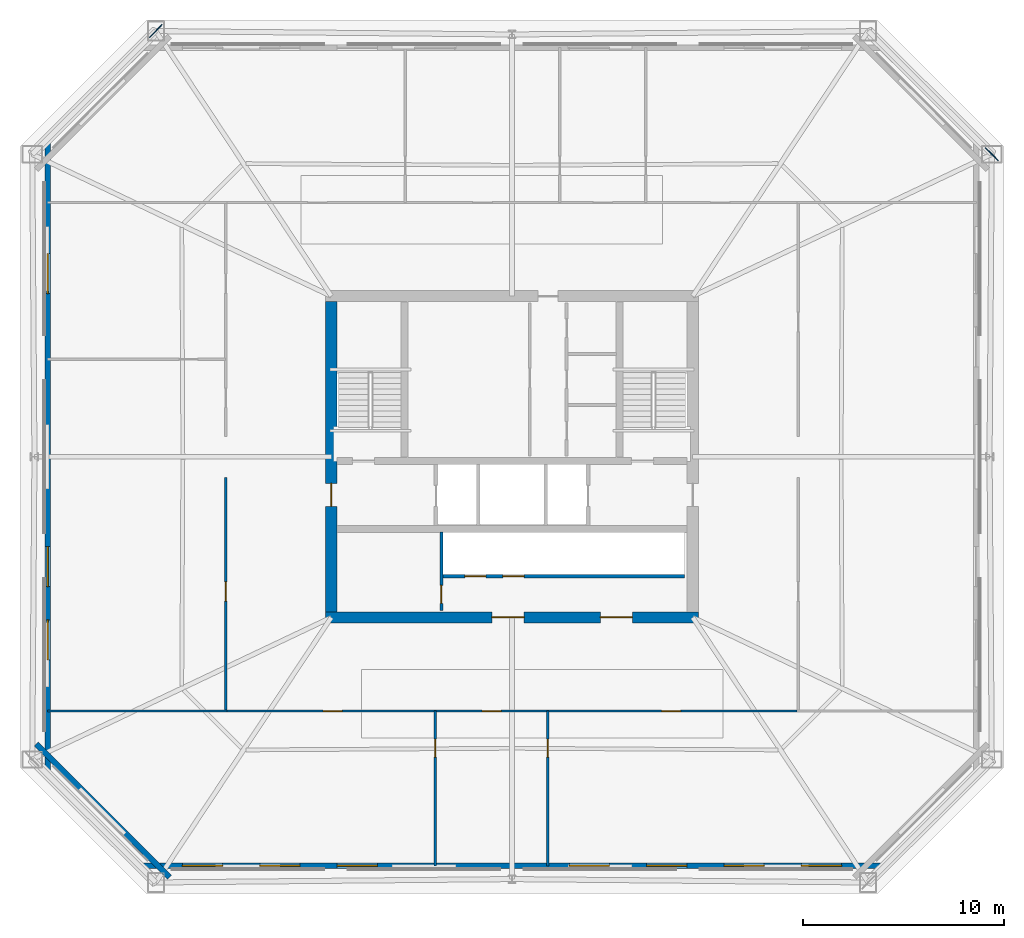
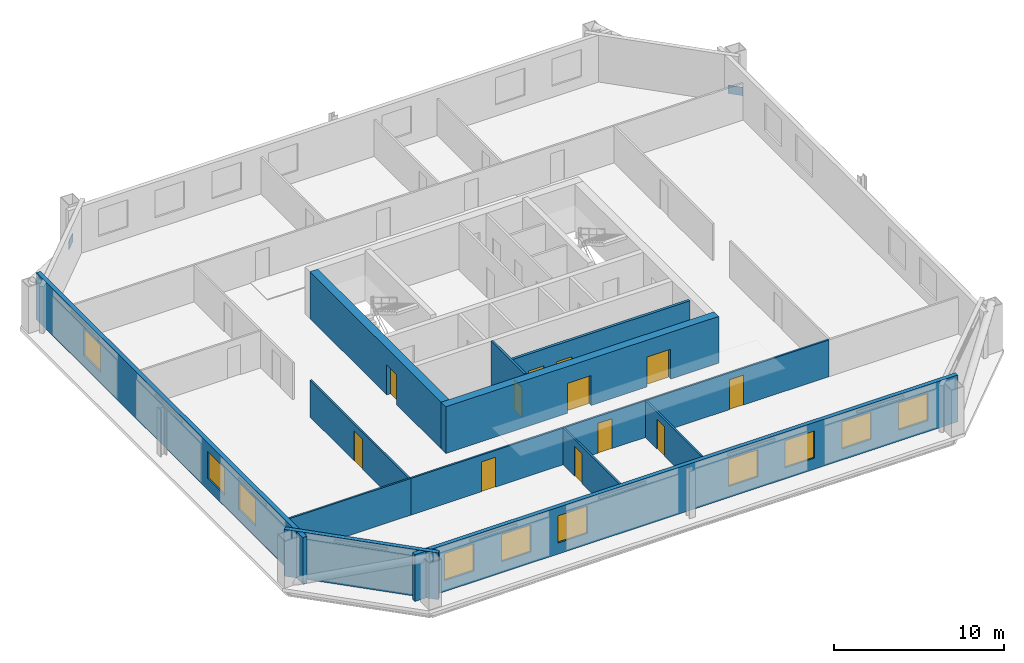
# One storey, part 2 of 6: 12 doors, 12 walls, 10 windows, 2 plates, 22 openings.
"""IFC4 building model written with IfcOpenShell, lengths in metres."""

from ifc_helpers import new_model, si_unit, direction, frame, frame_2d, origin, origin_2d, place, context, subcontext, project, spatial, rectangle, extrude, material, layer, layer_set, type_object, element, fill, save


model = new_model("IFC4")

# Units and contexts
model_context = context("Model", 3, precision=1e-05, world=origin(), true_north=direction((0.0, 1.0)))
body_context = subcontext(model_context, "Body", "Model", "MODEL_VIEW")
ifc_project = project(units=[si_unit("LENGTHUNIT", "METRE"), si_unit("AREAUNIT", "SQUARE_METRE"), si_unit("VOLUMEUNIT", "CUBIC_METRE"), si_unit("PLANEANGLEUNIT", "RADIAN"), si_unit("MASSUNIT", "GRAM", prefix="KILO")], contexts=[model_context])

# Site, building, storey
site_placement = place(None, origin())
site = spatial("IfcSite", under=ifc_project, at=site_placement, CompositionType="ELEMENT")
building_placement = place(site_placement, origin())
building = spatial("IfcBuilding", under=site, at=building_placement, Name="Caelvoria Tower", CompositionType="ELEMENT")
storey_placement = place(building_placement, frame((0.0, 0.0, 152.800048828125)))
storey = spatial("IfcBuildingStorey", under=building, at=storey_placement, Name="L40", CompositionType="ELEMENT", Elevation=152.800048828125)

# Plates
ifc_material_1 = material(Name="Structural Steel ASTM A572 Gr.50", Category="steel")
ifc_layer_1 = layer(ifc_material_1, 0.0400390625, Name="Structural Steel ASTM A572 Gr.50")
ifc_layer_set_1 = layer_set([ifc_layer_1], Name="Megaframe Node Gusset Plate 900x600x40 - Structural Steel ASTM A572 Gr.50")
plate_type = type_object("IfcPlateType", Name="Megaframe Node Gusset Plate 900x600x40", PredefinedType="USERDEFINED", material=ifc_layer_set_1)
for number, where, z_axis, x_axis, name in (
    (1, (69.89111328125, 47.06591796875, 0.02001953125), (0.0, 0.0, 1.0), (-0.708326285833, 0.705885169697, 0.0), "Chamfer Mega Brace Gusset L40 NE"),
    (2, (28.26220703125, 53.19775390625, 0.02001953125), (0.0, 0.0, 1.0), (-0.708326285833, -0.705885169697, 0.0), "Chamfer Mega Brace Gusset L40 NW"),
):
    element("IfcPlate", number, at=place(storey_placement, frame(where, z_axis=z_axis, x_axis=x_axis)), inside=storey, type_object=plate_type, Name=name, ObjectType="GUSSET_PLATE", PredefinedType="USERDEFINED", context=body_context, shape_type="SweptSolid", body=[
        extrude(rectangle(XDim=0.89990234375, YDim=0.0400390625, at=origin_2d()), origin(), (0.0, 0.0, 1.0), 0.60009765625),
    ])

# Wall, opening, door
ifc_material_2 = material(Name="Double Gypsum Board on Steel Stud", Category="steel")
ifc_layer_2 = layer(ifc_material_2, 0.14990234375, Name="Double Gypsum Board on Steel Stud")
ifc_layer_set_2 = layer_set([ifc_layer_2], Name="Core Service Acoustic Partition Wall 150 - Double Gypsum Board on Steel Stud")
wall_type_1 = type_object("IfcWallType", Name="Core Service Acoustic Partition Wall 150", PredefinedType="PARTITIONING", material=ifc_layer_set_2)
wall_1_placement = place(storey_placement, frame((42.47998046875, 24.35009765625, 0.0), z_axis=(0.0, 0.0, 1.0), x_axis=(0.0, 1.0, 0.0)))
wall_1 = element("IfcWall", 3, at=wall_1_placement, inside=storey, type_object=wall_type_1, Name="Interior Partition IW-L40-RECL1E", PredefinedType="PARTITIONING", context=body_context, shape_type="SweptSolid", body=[
    extrude(rectangle(XDim=3.89990234375, YDim=0.14990234375, at=frame_2d((1.949951171875, 0.0))), origin(), (0.0, 0.0, 1.0), 3.35986328125),
])
opening_1_placement = place(wall_1_placement, frame((0.35009765625, 0.0, 0.0)))
opening_1 = element("IfcOpeningElement", 4, at=opening_1_placement, cuts=wall_1, Name="Opening ID-04", PredefinedType="OPENING", context=body_context, shape_type="SweptSolid", body=[
    extrude(rectangle(XDim=0.89990234375, YDim=2.14990234375, at=frame_2d((0.449951171875, 1.074951171875))), frame((0.0, 0.0849609375, 0.0), z_axis=(0.0, -1.0, 0.0), x_axis=(1.0, 0.0, 0.0)), (0.0, 0.0, 1.0), 0.169921875),
])
ifc_material_3 = material(Name="Acoustic Timber Fire Door", Category="wood")
door_type_1 = type_object("IfcDoorType", Name="Fire Door FD30S 900x2150", OperationType="NOTDEFINED", PredefinedType="DOOR", material=ifc_material_3)
door_1_placement = place(opening_1_placement, origin())
door_1 = element("IfcDoor", 5, at=door_1_placement, inside=storey, type_object=door_type_1, Name="Interior Door DR-L40-RECL1", OperationType="SINGLE_SWING_LEFT", OverallHeight=2.14990234375, OverallWidth=0.89990234375, PredefinedType="DOOR", context=body_context, shape_type="SweptSolid", body=[
    extrude(rectangle(XDim=0.89990234375, YDim=2.14990234375, at=frame_2d((0.449951171875, 1.074951171875))), frame((0.0, 0.02490234375, 0.0), z_axis=(0.0, -1.0, 0.0), x_axis=(1.0, 0.0, 0.0)), (0.0, 0.0, 1.0), 0.050048828125),
])
fill(opening_1, door_1)

# Wall, openings, windows
ifc_material_4 = material(Name="Precast Concrete C40/50 with Bronze Cladding", Category="concrete")
ifc_layer_3 = layer(ifc_material_4, 0.280029296875, Name="Precast Concrete C40/50 with Bronze Cladding")
ifc_layer_set_3 = layer_set([ifc_layer_3], Name="Exterior Precast Concrete C40/50 Bronze-Clad Facade Wall 280 - Precast Concrete C40/50 with Bronze Cladding")
wall_type_2 = type_object("IfcWallType", Name="Exterior Precast Concrete C40/50 Bronze-Clad Facade Wall 280", PredefinedType="STANDARD", material=ifc_layer_set_3)
wall_2_placement = place(storey_placement, frame((27.56005859375, 11.6298828125, 0.0), z_axis=(0.0, 0.0, 1.0), x_axis=(1.0, 0.0, 0.0)))
wall_2 = element("IfcWall", 6, at=wall_2_placement, inside=storey, type_object=wall_type_2, Name="Exterior Facade Wall L40-E0", PredefinedType="STANDARD", context=body_context, shape_type="SweptSolid", body=[
    extrude(rectangle(XDim=36.8798828125, YDim=0.280029296875, at=frame_2d((18.43994140625, 0.0))), origin(), (0.0, 0.0, 1.0), 3.35986328125),
])
opening_2_placement = place(wall_2_placement, frame((2.026611328125, 0.0, 0.800048828125)))
opening_2 = element("IfcOpeningElement", 7, at=opening_2_placement, cuts=wall_2, Name="Opening WN-01", PredefinedType="OPENING", context=body_context, shape_type="SweptSolid", body=[
    extrude(rectangle(XDim=2.0, YDim=1.949951171875, at=frame_2d((1.0, 0.97509765625))), frame((0.0, 0.14990234375, 0.0), z_axis=(0.0, -1.0, 0.0), x_axis=(1.0, 0.0, 0.0)), (0.0, 0.0, 1.0), 0.300048828125),
])
opening_3_placement = place(wall_2_placement, frame((5.8798828125, 0.0, 0.800048828125)))
opening_3 = element("IfcOpeningElement", 8, at=opening_3_placement, cuts=wall_2, Name="Opening WN-01", PredefinedType="OPENING", context=body_context, shape_type="SweptSolid", body=[
    extrude(rectangle(XDim=2.0, YDim=1.949951171875, at=frame_2d((1.0, 0.97509765625))), frame((0.0, 0.14990234375, 0.0), z_axis=(0.0, -1.0, 0.0), x_axis=(1.0, 0.0, 0.0)), (0.0, 0.0, 1.0), 0.300048828125),
])
opening_4_placement = place(wall_2_placement, frame((9.7333984375, 0.0, 0.800048828125)))
opening_4 = element("IfcOpeningElement", 9, at=opening_4_placement, cuts=wall_2, Name="Opening WN-01", PredefinedType="OPENING", context=body_context, shape_type="SweptSolid", body=[
    extrude(rectangle(XDim=2.0, YDim=1.949951171875, at=frame_2d((1.0, 0.97509765625))), frame((0.0, 0.14990234375, 0.0), z_axis=(0.0, -1.0, 0.0), x_axis=(1.0, 0.0, 0.0)), (0.0, 0.0, 1.0), 0.300048828125),
])
opening_5_placement = place(wall_2_placement, frame((21.293212890625, 0.0, 0.800048828125)))
opening_5 = element("IfcOpeningElement", 10, at=opening_5_placement, cuts=wall_2, Name="Opening WN-01", PredefinedType="OPENING", context=body_context, shape_type="SweptSolid", body=[
    extrude(rectangle(XDim=2.0, YDim=1.949951171875, at=frame_2d((1.0, 0.97509765625))), frame((0.0, 0.14990234375, 0.0), z_axis=(0.0, -1.0, 0.0), x_axis=(1.0, 0.0, 0.0)), (0.0, 0.0, 1.0), 0.300048828125),
])
opening_6_placement = place(wall_2_placement, frame((25.146728515625, 0.0, 0.800048828125)))
opening_6 = element("IfcOpeningElement", 11, at=opening_6_placement, cuts=wall_2, Name="Opening WN-01", PredefinedType="OPENING", context=body_context, shape_type="SweptSolid", body=[
    extrude(rectangle(XDim=2.0, YDim=1.949951171875, at=frame_2d((1.0, 0.97509765625))), frame((0.0, 0.14990234375, 0.0), z_axis=(0.0, -1.0, 0.0), x_axis=(1.0, 0.0, 0.0)), (0.0, 0.0, 1.0), 0.300048828125),
])
opening_7_placement = place(wall_2_placement, frame((29.0, 0.0, 0.800048828125)))
opening_7 = element("IfcOpeningElement", 12, at=opening_7_placement, cuts=wall_2, Name="Opening WN-01", PredefinedType="OPENING", context=body_context, shape_type="SweptSolid", body=[
    extrude(rectangle(XDim=2.0, YDim=1.949951171875, at=frame_2d((1.0, 0.97509765625))), frame((0.0, 0.14990234375, 0.0), z_axis=(0.0, -1.0, 0.0), x_axis=(1.0, 0.0, 0.0)), (0.0, 0.0, 1.0), 0.300048828125),
])
opening_8_placement = place(wall_2_placement, frame((32.853271484375, 0.0, 0.800048828125)))
opening_8 = element("IfcOpeningElement", 13, at=opening_8_placement, cuts=wall_2, Name="Opening WN-01", PredefinedType="OPENING", context=body_context, shape_type="SweptSolid", body=[
    extrude(rectangle(XDim=2.0, YDim=1.949951171875, at=frame_2d((1.0, 0.97509765625))), frame((0.0, 0.14990234375, 0.0), z_axis=(0.0, -1.0, 0.0), x_axis=(1.0, 0.0, 0.0)), (0.0, 0.0, 1.0), 0.300048828125),
])
ifc_material_5 = material(Name="Low-E Tinted Glass in Bronze Aluminium Frame", Category="aluminium")
window_type = type_object("IfcWindowType", Name="Tower Office Vision Window 2000x1950", PartitioningType="SINGLE_PANEL", PredefinedType="WINDOW", material=ifc_material_5)
window_1_placement = place(opening_2_placement, origin())
window_1 = element("IfcWindow", 14, at=window_1_placement, inside=storey, type_object=window_type, Name="Facade Window L40-E0-00", OverallHeight=1.949951171875, OverallWidth=2.0, PartitioningType="SINGLE_PANEL", PredefinedType="WINDOW", context=body_context, shape_type="SweptSolid", body=[
    extrude(rectangle(XDim=2.0, YDim=1.949951171875, at=frame_2d((1.0, 0.97509765625))), frame((0.0, 0.030029296875, 0.0), z_axis=(0.0, -1.0, 0.0), x_axis=(1.0, 0.0, 0.0)), (0.0, 0.0, 1.0), 0.06005859375),
])
fill(opening_2, window_1)
window_2_placement = place(opening_3_placement, origin())
window_2 = element("IfcWindow", 15, at=window_2_placement, inside=storey, type_object=window_type, Name="Facade Window L40-E0-01", OverallHeight=1.949951171875, OverallWidth=2.0, PartitioningType="SINGLE_PANEL", PredefinedType="WINDOW", context=body_context, shape_type="SweptSolid", body=[
    extrude(rectangle(XDim=2.0, YDim=1.949951171875, at=frame_2d((1.0, 0.97509765625))), frame((0.0, 0.030029296875, 0.0), z_axis=(0.0, -1.0, 0.0), x_axis=(1.0, 0.0, 0.0)), (0.0, 0.0, 1.0), 0.06005859375),
])
fill(opening_3, window_2)
window_3_placement = place(opening_4_placement, origin())
window_3 = element("IfcWindow", 16, at=window_3_placement, inside=storey, type_object=window_type, Name="Facade Window L40-E0-02", OverallHeight=1.949951171875, OverallWidth=2.0, PartitioningType="SINGLE_PANEL", PredefinedType="WINDOW", context=body_context, shape_type="SweptSolid", body=[
    extrude(rectangle(XDim=2.0, YDim=1.949951171875, at=frame_2d((1.0, 0.97509765625))), frame((0.0, 0.030029296875, 0.0), z_axis=(0.0, -1.0, 0.0), x_axis=(1.0, 0.0, 0.0)), (0.0, 0.0, 1.0), 0.06005859375),
])
fill(opening_4, window_3)
window_4_placement = place(opening_5_placement, origin())
window_4 = element("IfcWindow", 17, at=window_4_placement, inside=storey, type_object=window_type, Name="Facade Window L40-E0-05", OverallHeight=1.949951171875, OverallWidth=2.0, PartitioningType="SINGLE_PANEL", PredefinedType="WINDOW", context=body_context, shape_type="SweptSolid", body=[
    extrude(rectangle(XDim=2.0, YDim=1.949951171875, at=frame_2d((1.0, 0.97509765625))), frame((0.0, 0.030029296875, 0.0), z_axis=(0.0, -1.0, 0.0), x_axis=(1.0, 0.0, 0.0)), (0.0, 0.0, 1.0), 0.06005859375),
])
fill(opening_5, window_4)
window_5_placement = place(opening_6_placement, origin())
window_5 = element("IfcWindow", 18, at=window_5_placement, inside=storey, type_object=window_type, Name="Facade Window L40-E0-06", OverallHeight=1.949951171875, OverallWidth=2.0, PartitioningType="SINGLE_PANEL", PredefinedType="WINDOW", context=body_context, shape_type="SweptSolid", body=[
    extrude(rectangle(XDim=2.0, YDim=1.949951171875, at=frame_2d((1.0, 0.97509765625))), frame((0.0, 0.030029296875, 0.0), z_axis=(0.0, -1.0, 0.0), x_axis=(1.0, 0.0, 0.0)), (0.0, 0.0, 1.0), 0.06005859375),
])
fill(opening_6, window_5)
window_6_placement = place(opening_7_placement, origin())
window_6 = element("IfcWindow", 19, at=window_6_placement, inside=storey, type_object=window_type, Name="Facade Window L40-E0-07", OverallHeight=1.949951171875, OverallWidth=2.0, PartitioningType="SINGLE_PANEL", PredefinedType="WINDOW", context=body_context, shape_type="SweptSolid", body=[
    extrude(rectangle(XDim=2.0, YDim=1.949951171875, at=frame_2d((1.0, 0.97509765625))), frame((0.0, 0.030029296875, 0.0), z_axis=(0.0, -1.0, 0.0), x_axis=(1.0, 0.0, 0.0)), (0.0, 0.0, 1.0), 0.06005859375),
])
fill(opening_7, window_6)
window_7_placement = place(opening_8_placement, origin())
window_7 = element("IfcWindow", 20, at=window_7_placement, inside=storey, type_object=window_type, Name="Facade Window L40-E0-08", OverallHeight=1.949951171875, OverallWidth=2.0, PartitioningType="SINGLE_PANEL", PredefinedType="WINDOW", context=body_context, shape_type="SweptSolid", body=[
    extrude(rectangle(XDim=2.0, YDim=1.949951171875, at=frame_2d((1.0, 0.97509765625))), frame((0.0, 0.030029296875, 0.0), z_axis=(0.0, -1.0, 0.0), x_axis=(1.0, 0.0, 0.0)), (0.0, 0.0, 1.0), 0.06005859375),
])
fill(opening_8, window_7)

wall_3_placement = place(storey_placement, frame((22.8798828125, 47.68994140625, 0.0), z_axis=(0.0, 0.0, 1.0), x_axis=(0.0, -1.0, 0.0)))
wall_3 = element("IfcWall", 21, at=wall_3_placement, inside=storey, type_object=wall_type_2, Name="Exterior Facade Wall L40-E6", PredefinedType="STANDARD", context=body_context, shape_type="SweptSolid", body=[
    extrude(rectangle(XDim=31.3798828125, YDim=0.280029296875, at=frame_2d((15.68994140625, 0.0))), origin(), (0.0, 0.0, 1.0), 3.35986328125),
])
opening_9_placement = place(wall_3_placement, frame((5.5712890625, 0.0, 0.800048828125)))
opening_9 = element("IfcOpeningElement", 22, at=opening_9_placement, cuts=wall_3, Name="Opening WN-01", PredefinedType="OPENING", context=body_context, shape_type="SweptSolid", body=[
    extrude(rectangle(XDim=2.0, YDim=1.949951171875, at=frame_2d((1.0, 0.97509765625))), frame((0.0, 0.14990234375, 0.0), z_axis=(0.0, -1.0, 0.0), x_axis=(1.0, 0.0, 0.0)), (0.0, 0.0, 1.0), 0.300048828125),
])
opening_10_placement = place(wall_3_placement, frame((20.161376953125, 0.0, 0.800048828125)))
opening_10 = element("IfcOpeningElement", 23, at=opening_10_placement, cuts=wall_3, Name="Opening WN-01", PredefinedType="OPENING", context=body_context, shape_type="SweptSolid", body=[
    extrude(rectangle(XDim=2.0, YDim=1.949951171875, at=frame_2d((1.0, 0.97509765625))), frame((0.0, 0.14990234375, 0.0), z_axis=(0.0, -1.0, 0.0), x_axis=(1.0, 0.0, 0.0)), (0.0, 0.0, 1.0), 0.300048828125),
])
opening_11_placement = place(wall_3_placement, frame((23.80859375, 0.0, 0.800048828125)))
opening_11 = element("IfcOpeningElement", 24, at=opening_11_placement, cuts=wall_3, Name="Opening WN-01", PredefinedType="OPENING", context=body_context, shape_type="SweptSolid", body=[
    extrude(rectangle(XDim=2.0, YDim=1.949951171875, at=frame_2d((1.0, 0.97509765625))), frame((0.0, 0.14990234375, 0.0), z_axis=(0.0, -1.0, 0.0), x_axis=(1.0, 0.0, 0.0)), (0.0, 0.0, 1.0), 0.300048828125),
])
window_8_placement = place(opening_9_placement, origin())
window_8 = element("IfcWindow", 25, at=window_8_placement, inside=storey, type_object=window_type, Name="Facade Window L40-E6-01", OverallHeight=1.949951171875, OverallWidth=2.0, PartitioningType="SINGLE_PANEL", PredefinedType="WINDOW", context=body_context, shape_type="SweptSolid", body=[
    extrude(rectangle(XDim=2.0, YDim=1.949951171875, at=frame_2d((1.0, 0.97509765625))), frame((0.0, 0.030029296875, 0.0), z_axis=(0.0, -1.0, 0.0), x_axis=(1.0, 0.0, 0.0)), (0.0, 0.0, 1.0), 0.06005859375),
])
fill(opening_9, window_8)
window_9_placement = place(opening_10_placement, origin())
window_9 = element("IfcWindow", 26, at=window_9_placement, inside=storey, type_object=window_type, Name="Facade Window L40-E6-05", OverallHeight=1.949951171875, OverallWidth=2.0, PartitioningType="SINGLE_PANEL", PredefinedType="WINDOW", context=body_context, shape_type="SweptSolid", body=[
    extrude(rectangle(XDim=2.0, YDim=1.949951171875, at=frame_2d((1.0, 0.97509765625))), frame((0.0, 0.030029296875, 0.0), z_axis=(0.0, -1.0, 0.0), x_axis=(1.0, 0.0, 0.0)), (0.0, 0.0, 1.0), 0.06005859375),
])
fill(opening_10, window_9)
window_10_placement = place(opening_11_placement, origin())
window_10 = element("IfcWindow", 27, at=window_10_placement, inside=storey, type_object=window_type, Name="Facade Window L40-E6-06", OverallHeight=1.949951171875, OverallWidth=2.0, PartitioningType="SINGLE_PANEL", PredefinedType="WINDOW", context=body_context, shape_type="SweptSolid", body=[
    extrude(rectangle(XDim=2.0, YDim=1.949951171875, at=frame_2d((1.0, 0.97509765625))), frame((0.0, 0.030029296875, 0.0), z_axis=(0.0, -1.0, 0.0), x_axis=(1.0, 0.0, 0.0)), (0.0, 0.0, 1.0), 0.06005859375),
])
fill(opening_11, window_10)

# Wall
wall_4_placement = place(storey_placement, frame((22.30615234375, 17.695556640625, 0.0), z_axis=(0.0, 0.0, 1.0), x_axis=(0.707106781187, -0.707106781187, 0.0)))
element("IfcWall", 28, at=wall_4_placement, inside=storey, type_object=wall_type_2, Name="Exterior Facade Wall L40-E7", PredefinedType="STANDARD", context=body_context, shape_type="SweptSolid", body=[
    extrude(rectangle(XDim=9.3896484375, YDim=0.280029296875, at=frame_2d((4.69482421875, 0.0))), origin(), (0.0, 0.0, 1.0), 3.35986328125),
])

# Wall, openings, doors
ifc_material_6 = material(Name="Concrete Block and Fireboard Assembly", Category="concrete")
ifc_layer_4 = layer(ifc_material_6, 0.179931640625, Name="Concrete Block and Fireboard Assembly")
ifc_layer_set_4 = layer_set([ifc_layer_4], Name="Fire-Rated Hoistway Partition Wall 180 - Concrete Block and Fireboard Assembly")
wall_type_3 = type_object("IfcWallType", Name="Fire-Rated Hoistway Partition Wall 180", PredefinedType="PARTITIONING", material=ifc_layer_set_4)
wall_5_placement = place(storey_placement, frame((42.550048828125, 26.050048828125, 0.0), z_axis=(0.0, 0.0, 1.0), x_axis=(1.0, 0.0, 0.0)))
wall_5 = element("IfcWall", 29, at=wall_5_placement, inside=storey, type_object=wall_type_3, Name="Interior Partition IW-L40-LFRONT", PredefinedType="PARTITIONING", context=body_context, shape_type="SweptSolid", body=[
    extrude(rectangle(XDim=12.050048828125, YDim=0.179931640625, at=frame_2d((6.02490234375, 0.0))), origin(), (0.0, 0.0, 1.0), 3.35986328125),
])
opening_12_placement = place(wall_5_placement, frame((1.10009765625, 0.0, 0.0)))
opening_12 = element("IfcOpeningElement", 30, at=opening_12_placement, cuts=wall_5, Name="Opening LD-01", PredefinedType="OPENING", context=body_context, shape_type="SweptSolid", body=[
    extrude(rectangle(XDim=1.050048828125, YDim=2.14990234375, at=frame_2d((0.52490234375, 1.074951171875))), frame((0.0, 0.099853515625, 0.0), z_axis=(0.0, -1.0, 0.0), x_axis=(1.0, 0.0, 0.0)), (0.0, 0.0, 1.0), 0.199951171875),
])
opening_13_placement = place(wall_5_placement, frame((3.0, 0.0, 0.0)))
opening_13 = element("IfcOpeningElement", 31, at=opening_13_placement, cuts=wall_5, Name="Opening LD-01", PredefinedType="OPENING", context=body_context, shape_type="SweptSolid", body=[
    extrude(rectangle(XDim=1.050048828125, YDim=2.14990234375, at=frame_2d((0.52490234375, 1.074951171875))), frame((0.0, 0.099853515625, 0.0), z_axis=(0.0, -1.0, 0.0), x_axis=(1.0, 0.0, 0.0)), (0.0, 0.0, 1.0), 0.199951171875),
])
ifc_material_7 = material(Name="Brushed Bronze Stainless Sliding Landing Door", Category="aluminium")
door_type_2 = type_object("IfcDoorType", Name="Lift Landing Sliding Door 1100x2150", OperationType="NOTDEFINED", PredefinedType="DOOR", material=ifc_material_7)
door_2_placement = place(opening_12_placement, origin())
door_2 = element("IfcDoor", 32, at=door_2_placement, inside=storey, type_object=door_type_2, Name="Interior Door LD-L40-PM1", OperationType="SLIDING_TO_LEFT", OverallHeight=2.14990234375, OverallWidth=1.050048828125, PredefinedType="DOOR", context=body_context, shape_type="SweptSolid", body=[
    extrude(rectangle(XDim=1.050048828125, YDim=2.14990234375, at=frame_2d((0.52490234375, 1.074951171875))), frame((0.0, 0.02490234375, 0.0), z_axis=(0.0, -1.0, 0.0), x_axis=(1.0, 0.0, 0.0)), (0.0, 0.0, 1.0), 0.050048828125),
])
fill(opening_12, door_2)
door_3_placement = place(opening_13_placement, origin())
door_3 = element("IfcDoor", 33, at=door_3_placement, inside=storey, type_object=door_type_2, Name="Interior Door LD-L40-PM2", OperationType="SLIDING_TO_RIGHT", OverallHeight=2.14990234375, OverallWidth=1.050048828125, PredefinedType="DOOR", context=body_context, shape_type="SweptSolid", body=[
    extrude(rectangle(XDim=1.050048828125, YDim=2.14990234375, at=frame_2d((0.52490234375, 1.074951171875))), frame((0.0, 0.02490234375, 0.0), z_axis=(0.0, -1.0, 0.0), x_axis=(1.0, 0.0, 0.0)), (0.0, 0.0, 1.0), 0.050048828125),
])
fill(opening_13, door_3)

ifc_material_8 = material(Name="Concrete C55/67", Category="concrete")
ifc_layer_5 = layer(ifc_material_8, 0.550048828125, Name="Concrete C55/67")
ifc_layer_set_5 = layer_set([ifc_layer_5], Name="Mid Core Shear Wall 550 - Concrete C55/67")
wall_type_4 = type_object("IfcWallType", Name="Mid Core Shear Wall 550", PredefinedType="SHEAR", material=ifc_layer_set_5)
wall_6_placement = place(storey_placement, frame((36.72509765625, 24.0, 0.0), z_axis=(0.0, 0.0, 1.0), x_axis=(1.0, 0.0, 0.0)))
wall_6 = element("IfcWall", 34, at=wall_6_placement, inside=storey, type_object=wall_type_4, Name="Core Shear Wall L40 S", PredefinedType="SHEAR", context=body_context, shape_type="SweptSolid", body=[
    extrude(rectangle(XDim=18.5498046875, YDim=0.550048828125, at=frame_2d((9.27490234375, 0.0))), origin(), (0.0, 0.0, 1.0), 3.35986328125),
])
opening_14_placement = place(wall_6_placement, frame((8.27490234375, 0.0, 0.0)))
opening_14 = element("IfcOpeningElement", 35, at=opening_14_placement, cuts=wall_6, Name="Opening ID-08", PredefinedType="OPENING", context=body_context, shape_type="SweptSolid", body=[
    extrude(rectangle(XDim=1.60009765625, YDim=2.14990234375, at=frame_2d((0.800048828125, 1.074951171875))), frame((0.0, 0.284912109375, 0.0), z_axis=(0.0, -1.0, 0.0), x_axis=(1.0, 0.0, 0.0)), (0.0, 0.0, 1.0), 0.570068359375),
])
opening_15_placement = place(wall_6_placement, frame((13.675048828125, 0.0, 0.0)))
opening_15 = element("IfcOpeningElement", 36, at=opening_15_placement, cuts=wall_6, Name="Opening ID-08", PredefinedType="OPENING", context=body_context, shape_type="SweptSolid", body=[
    extrude(rectangle(XDim=1.60009765625, YDim=2.14990234375, at=frame_2d((0.800048828125, 1.074951171875))), frame((0.0, 0.284912109375, 0.0), z_axis=(0.0, -1.0, 0.0), x_axis=(1.0, 0.0, 0.0)), (0.0, 0.0, 1.0), 0.570068359375),
])
ifc_material_9 = material(Name="Bronze-Framed Fire-Rated Glazed Double Door", Category="aluminium")
door_type_3 = type_object("IfcDoorType", Name="Double Lobby Glazed Door 1600x2200", OperationType="NOTDEFINED", PredefinedType="DOOR", material=ifc_material_9)
door_4_placement = place(opening_14_placement, origin())
door_4 = element("IfcDoor", 37, at=door_4_placement, inside=storey, type_object=door_type_3, Name="Core Door DR-L40-LLOB-S1", OperationType="DOUBLE_DOOR_SINGLE_SWING", OverallHeight=2.14990234375, OverallWidth=1.60009765625, PredefinedType="DOOR", context=body_context, shape_type="SweptSolid", body=[
    extrude(rectangle(XDim=1.60009765625, YDim=2.14990234375, at=frame_2d((0.800048828125, 1.074951171875))), frame((0.0, 0.02490234375, 0.0), z_axis=(0.0, -1.0, 0.0), x_axis=(1.0, 0.0, 0.0)), (0.0, 0.0, 1.0), 0.050048828125),
])
fill(opening_14, door_4)
door_5_placement = place(opening_15_placement, origin())
door_5 = element("IfcDoor", 38, at=door_5_placement, inside=storey, type_object=door_type_3, Name="Core Door DR-L40-LLOB-S2", OperationType="DOUBLE_DOOR_SINGLE_SWING", OverallHeight=2.14990234375, OverallWidth=1.60009765625, PredefinedType="DOOR", context=body_context, shape_type="SweptSolid", body=[
    extrude(rectangle(XDim=1.60009765625, YDim=2.14990234375, at=frame_2d((0.800048828125, 1.074951171875))), frame((0.0, 0.02490234375, 0.0), z_axis=(0.0, -1.0, 0.0), x_axis=(1.0, 0.0, 0.0)), (0.0, 0.0, 1.0), 0.050048828125),
])
fill(opening_15, door_5)

# Wall, opening, door
wall_7_placement = place(storey_placement, frame((37.0, 24.27490234375, 0.0), z_axis=(0.0, 0.0, 1.0), x_axis=(0.0, 1.0, 0.0)))
wall_7 = element("IfcWall", 39, at=wall_7_placement, inside=storey, type_object=wall_type_4, Name="Core Shear Wall L40 W", PredefinedType="SHEAR", context=body_context, shape_type="SweptSolid", body=[
    extrude(rectangle(XDim=15.4501953125, YDim=0.550048828125, at=frame_2d((7.72509765625, 0.0))), origin(), (0.0, 0.0, 1.0), 3.35986328125),
])
opening_16_placement = place(wall_7_placement, frame((5.25, 0.0, 0.0)))
opening_16 = element("IfcOpeningElement", 40, at=opening_16_placement, cuts=wall_7, Name="Opening ID-02", PredefinedType="OPENING", context=body_context, shape_type="SweptSolid", body=[
    extrude(rectangle(XDim=1.14990234375, YDim=2.14990234375, at=frame_2d((0.574951171875, 1.074951171875))), frame((0.0, 0.284912109375, 0.0), z_axis=(0.0, -1.0, 0.0), x_axis=(1.0, 0.0, 0.0)), (0.0, 0.0, 1.0), 0.570068359375),
])
ifc_material_10 = material(Name="Painted Hollow Steel Fire Door", Category="steel")
door_type_4 = type_object("IfcDoorType", Name="Fire Door FD60S 1150x2150", OperationType="NOTDEFINED", PredefinedType="DOOR", material=ifc_material_10)
door_6_placement = place(opening_16_placement, origin())
door_6 = element("IfcDoor", 41, at=door_6_placement, inside=storey, type_object=door_type_4, Name="Core Door DR-L40-FFLW-OUT", OperationType="SINGLE_SWING_LEFT", OverallHeight=2.14990234375, OverallWidth=1.14990234375, PredefinedType="DOOR", context=body_context, shape_type="SweptSolid", body=[
    extrude(rectangle(XDim=1.14990234375, YDim=2.14990234375, at=frame_2d((0.574951171875, 1.074951171875))), frame((0.0, 0.02490234375, 0.0), z_axis=(0.0, -1.0, 0.0), x_axis=(1.0, 0.0, 0.0)), (0.0, 0.0, 1.0), 0.050048828125),
])
fill(opening_16, door_6)

ifc_material_11 = material(Name="Acoustic Gypsum Board on Light-Gauge Stud", Category="gypsum")
ifc_layer_6 = layer(ifc_material_11, 0.1201171875, Name="Acoustic Gypsum Board on Light-Gauge Stud")
ifc_layer_set_6 = layer_set([ifc_layer_6], Name="Tenant Suite Acoustic Partition Wall 120 - Acoustic Gypsum Board on Light-Gauge Stud")
wall_type_5 = type_object("IfcWallType", Name="Tenant Suite Acoustic Partition Wall 120", PredefinedType="PARTITIONING", material=ifc_layer_set_6)
wall_8_placement = place(storey_placement, frame((42.1875, 19.340087890625, 0.0), z_axis=(0.0, 0.0, 1.0), x_axis=(0.0, -1.0, 0.0)))
wall_8 = element("IfcWall", 42, at=wall_8_placement, inside=storey, type_object=wall_type_5, Name="Interior Partition IW-L40-SD-00-0", PredefinedType="PARTITIONING", context=body_context, shape_type="SweptSolid", body=[
    extrude(rectangle(XDim=7.710205078125, YDim=0.1201171875, at=frame_2d((3.85498046875, 0.0))), origin(), (0.0, 0.0, 1.0), 2.639892578125),
])
opening_17_placement = place(wall_8_placement, frame((1.39990234375, 0.0, 0.0)))
opening_17 = element("IfcOpeningElement", 43, at=opening_17_placement, cuts=wall_8, Name="Opening ID-06", PredefinedType="OPENING", context=body_context, shape_type="SweptSolid", body=[
    extrude(rectangle(XDim=0.89990234375, YDim=2.14990234375, at=frame_2d((0.449951171875, 1.074951171875))), frame((0.0, 0.070068359375, 0.0), z_axis=(0.0, -1.0, 0.0), x_axis=(1.0, 0.0, 0.0)), (0.0, 0.0, 1.0), 0.14013671875),
])
ifc_material_12 = material(Name="Engineered Andean Oak Veneer Door", Category="wood")
door_type_5 = type_object("IfcDoorType", Name="Interior Timber Door 900x2150", OperationType="NOTDEFINED", PredefinedType="DOOR", material=ifc_material_12)
door_7_placement = place(opening_17_placement, origin())
door_7 = element("IfcDoor", 44, at=door_7_placement, inside=storey, type_object=door_type_5, Name="Interior Door DR-L40-SM-00-0", OperationType="SINGLE_SWING_RIGHT", OverallHeight=2.14990234375, OverallWidth=0.89990234375, PredefinedType="DOOR", context=body_context, shape_type="SweptSolid", body=[
    extrude(rectangle(XDim=0.89990234375, YDim=2.14990234375, at=frame_2d((0.449951171875, 1.074951171875))), frame((0.0, 0.02490234375, 0.0), z_axis=(0.0, -1.0, 0.0), x_axis=(1.0, 0.0, 0.0)), (0.0, 0.0, 1.0), 0.050048828125),
])
fill(opening_17, door_7)

wall_9_placement = place(storey_placement, frame((47.779541015625, 19.340087890625, 0.0), z_axis=(0.0, 0.0, 1.0), x_axis=(0.0, -1.0, 0.0)))
wall_9 = element("IfcWall", 45, at=wall_9_placement, inside=storey, type_object=wall_type_5, Name="Interior Partition IW-L40-SD-01-0", PredefinedType="PARTITIONING", context=body_context, shape_type="SweptSolid", body=[
    extrude(rectangle(XDim=7.710205078125, YDim=0.1201171875, at=frame_2d((3.85498046875, 0.0))), origin(), (0.0, 0.0, 1.0), 2.639892578125),
])
opening_18_placement = place(wall_9_placement, frame((1.39990234375, 0.0, 0.0)))
opening_18 = element("IfcOpeningElement", 46, at=opening_18_placement, cuts=wall_9, Name="Opening ID-06", PredefinedType="OPENING", context=body_context, shape_type="SweptSolid", body=[
    extrude(rectangle(XDim=0.89990234375, YDim=2.14990234375, at=frame_2d((0.449951171875, 1.074951171875))), frame((0.0, 0.070068359375, 0.0), z_axis=(0.0, -1.0, 0.0), x_axis=(1.0, 0.0, 0.0)), (0.0, 0.0, 1.0), 0.14013671875),
])
door_8_placement = place(opening_18_placement, origin())
door_8 = element("IfcDoor", 47, at=door_8_placement, inside=storey, type_object=door_type_5, Name="Interior Door DR-L40-SM-01-0", OperationType="SINGLE_SWING_LEFT", OverallHeight=2.14990234375, OverallWidth=0.89990234375, PredefinedType="DOOR", context=body_context, shape_type="SweptSolid", body=[
    extrude(rectangle(XDim=0.89990234375, YDim=2.14990234375, at=frame_2d((0.449951171875, 1.074951171875))), frame((0.0, 0.02490234375, 0.0), z_axis=(0.0, -1.0, 0.0), x_axis=(1.0, 0.0, 0.0)), (0.0, 0.0, 1.0), 0.050048828125),
])
fill(opening_18, door_8)

# Wall, openings, doors
wall_10_placement = place(storey_placement, frame((31.800048828125, 19.340087890625, 0.0), z_axis=(0.0, 0.0, 1.0), x_axis=(1.0, 0.0, 0.0)))
wall_10 = element("IfcWall", 48, at=wall_10_placement, inside=storey, type_object=wall_type_5, Name="Interior Partition IW-L40-SCW-0", PredefinedType="PARTITIONING", context=body_context, shape_type="SweptSolid", body=[
    extrude(rectangle(XDim=28.39990234375, YDim=0.1201171875, at=frame_2d((14.199951171875, 0.0))), origin(), (0.0, 0.0, 1.0), 2.639892578125),
])
opening_19_placement = place(wall_10_placement, frame((4.788818359375, 0.0, 0.0)))
opening_19 = element("IfcOpeningElement", 49, at=opening_19_placement, cuts=wall_10, Name="Opening ID-05", PredefinedType="OPENING", context=body_context, shape_type="SweptSolid", body=[
    extrude(rectangle(XDim=0.949951171875, YDim=2.14990234375, at=frame_2d((0.47509765625, 1.074951171875))), frame((0.0, 0.070068359375, 0.0), z_axis=(0.0, -1.0, 0.0), x_axis=(1.0, 0.0, 0.0)), (0.0, 0.0, 1.0), 0.14013671875),
])
opening_20_placement = place(wall_10_placement, frame((12.70849609375, 0.0, 0.0)))
opening_20 = element("IfcOpeningElement", 50, at=opening_20_placement, cuts=wall_10, Name="Opening ID-05", PredefinedType="OPENING", context=body_context, shape_type="SweptSolid", body=[
    extrude(rectangle(XDim=0.949951171875, YDim=2.14990234375, at=frame_2d((0.47509765625, 1.074951171875))), frame((0.0, 0.070068359375, 0.0), z_axis=(0.0, -1.0, 0.0), x_axis=(1.0, 0.0, 0.0)), (0.0, 0.0, 1.0), 0.14013671875),
])
opening_21_placement = place(wall_10_placement, frame((21.644775390625, 0.0, 0.0)))
opening_21 = element("IfcOpeningElement", 51, at=opening_21_placement, cuts=wall_10, Name="Opening ID-05", PredefinedType="OPENING", context=body_context, shape_type="SweptSolid", body=[
    extrude(rectangle(XDim=0.949951171875, YDim=2.14990234375, at=frame_2d((0.47509765625, 1.074951171875))), frame((0.0, 0.070068359375, 0.0), z_axis=(0.0, -1.0, 0.0), x_axis=(1.0, 0.0, 0.0)), (0.0, 0.0, 1.0), 0.14013671875),
])
door_type_6 = type_object("IfcDoorType", Name="Interior Timber Door 950x2150", OperationType="NOTDEFINED", PredefinedType="DOOR", material=ifc_material_12)
door_9_placement = place(opening_19_placement, origin())
door_9 = element("IfcDoor", 52, at=door_9_placement, inside=storey, type_object=door_type_6, Name="Interior Door DR-L40-SC-00-0", OperationType="SINGLE_SWING_LEFT", OverallHeight=2.14990234375, OverallWidth=0.949951171875, PredefinedType="DOOR", context=body_context, shape_type="SweptSolid", body=[
    extrude(rectangle(XDim=0.949951171875, YDim=2.14990234375, at=frame_2d((0.47509765625, 1.074951171875))), frame((0.0, 0.02490234375, 0.0), z_axis=(0.0, -1.0, 0.0), x_axis=(1.0, 0.0, 0.0)), (0.0, 0.0, 1.0), 0.050048828125),
])
fill(opening_19, door_9)
door_10_placement = place(opening_20_placement, origin())
door_10 = element("IfcDoor", 53, at=door_10_placement, inside=storey, type_object=door_type_6, Name="Interior Door DR-L40-SC-01-0", OperationType="SINGLE_SWING_RIGHT", OverallHeight=2.14990234375, OverallWidth=0.949951171875, PredefinedType="DOOR", context=body_context, shape_type="SweptSolid", body=[
    extrude(rectangle(XDim=0.949951171875, YDim=2.14990234375, at=frame_2d((0.47509765625, 1.074951171875))), frame((0.0, 0.02490234375, 0.0), z_axis=(0.0, -1.0, 0.0), x_axis=(1.0, 0.0, 0.0)), (0.0, 0.0, 1.0), 0.050048828125),
])
fill(opening_20, door_10)
door_11_placement = place(opening_21_placement, origin())
door_11 = element("IfcDoor", 54, at=door_11_placement, inside=storey, type_object=door_type_6, Name="Interior Door DR-L40-SC-02-0", OperationType="SINGLE_SWING_LEFT", OverallHeight=2.14990234375, OverallWidth=0.949951171875, PredefinedType="DOOR", context=body_context, shape_type="SweptSolid", body=[
    extrude(rectangle(XDim=0.949951171875, YDim=2.14990234375, at=frame_2d((0.47509765625, 1.074951171875))), frame((0.0, 0.02490234375, 0.0), z_axis=(0.0, -1.0, 0.0), x_axis=(1.0, 0.0, 0.0)), (0.0, 0.0, 1.0), 0.050048828125),
])
fill(opening_21, door_11)

# Wall, opening, door
wall_11_placement = place(storey_placement, frame((31.739990234375, 19.39990234375, 0.0), z_axis=(0.0, 0.0, 1.0), x_axis=(0.0, 1.0, 0.0)))
wall_11 = element("IfcWall", 55, at=wall_11_placement, inside=storey, type_object=wall_type_5, Name="Interior Partition IW-L40-WCW-0", PredefinedType="PARTITIONING", context=body_context, shape_type="SweptSolid", body=[
    extrude(rectangle(XDim=11.580078125, YDim=0.1201171875, at=frame_2d((5.7900390625, 0.0))), origin(), (0.0, 0.0, 1.0), 2.639892578125),
])
opening_22_placement = place(wall_11_placement, frame((5.4150390625, 0.0, 0.0)))
opening_22 = element("IfcOpeningElement", 56, at=opening_22_placement, cuts=wall_11, Name="Opening ID-05", PredefinedType="OPENING", context=body_context, shape_type="SweptSolid", body=[
    extrude(rectangle(XDim=0.949951171875, YDim=2.14990234375, at=frame_2d((0.47509765625, 1.074951171875))), frame((0.0, 0.070068359375, 0.0), z_axis=(0.0, -1.0, 0.0), x_axis=(1.0, 0.0, 0.0)), (0.0, 0.0, 1.0), 0.14013671875),
])
door_12_placement = place(opening_22_placement, origin())
door_12 = element("IfcDoor", 57, at=door_12_placement, inside=storey, type_object=door_type_6, Name="Interior Door DR-L40-WC-00-1", OperationType="SINGLE_SWING_RIGHT", OverallHeight=2.14990234375, OverallWidth=0.949951171875, PredefinedType="DOOR", context=body_context, shape_type="SweptSolid", body=[
    extrude(rectangle(XDim=0.949951171875, YDim=2.14990234375, at=frame_2d((0.47509765625, 1.074951171875))), frame((0.0, 0.02490234375, 0.0), z_axis=(0.0, -1.0, 0.0), x_axis=(1.0, 0.0, 0.0)), (0.0, 0.0, 1.0), 0.050048828125),
])
fill(opening_22, door_12)

# Wall
wall_12_placement = place(storey_placement, frame((31.800048828125, 19.340087890625, 0.0), z_axis=(0.0, 0.0, 1.0), x_axis=(-1.0, 0.0, 0.0)))
element("IfcWall", 58, at=wall_12_placement, inside=storey, type_object=wall_type_5, Name="Interior Partition IW-L40-BSW-0", PredefinedType="PARTITIONING", context=body_context, shape_type="SweptSolid", body=[
    extrude(rectangle(XDim=8.920166015625, YDim=0.1201171875, at=frame_2d((4.4599609375, 0.0))), origin(), (0.0, 0.0, 1.0), 2.639892578125),
])

save(model, "model.ifc")
